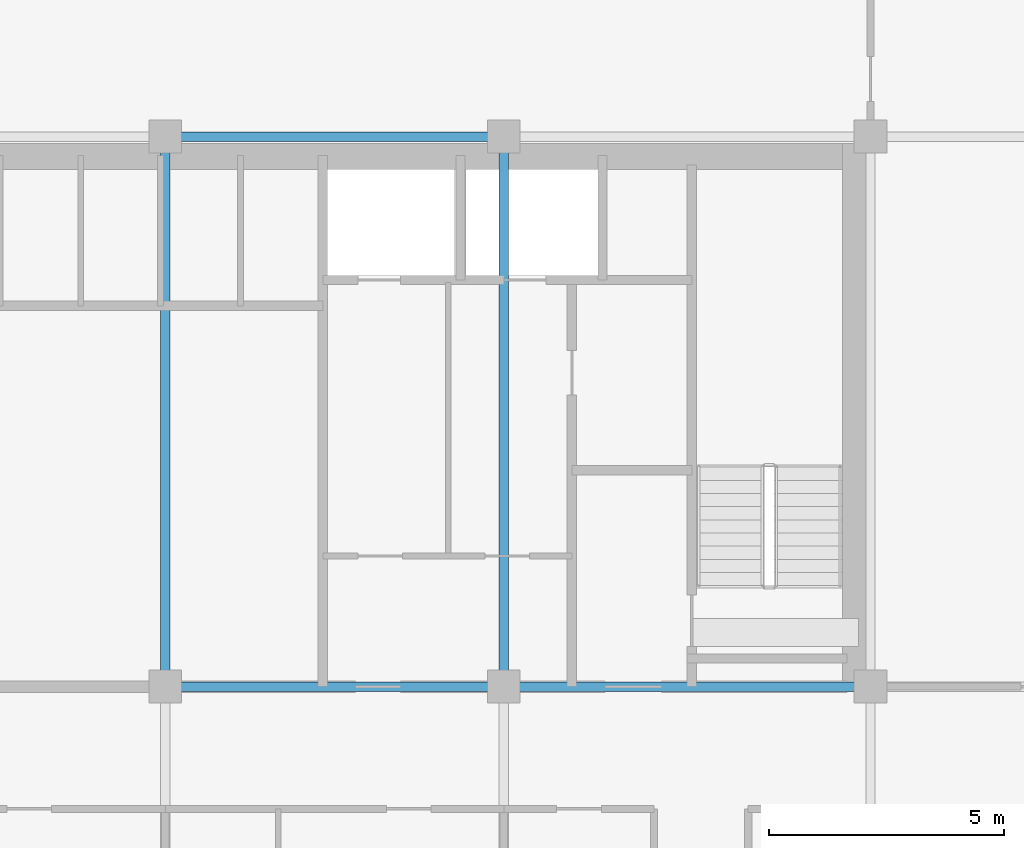
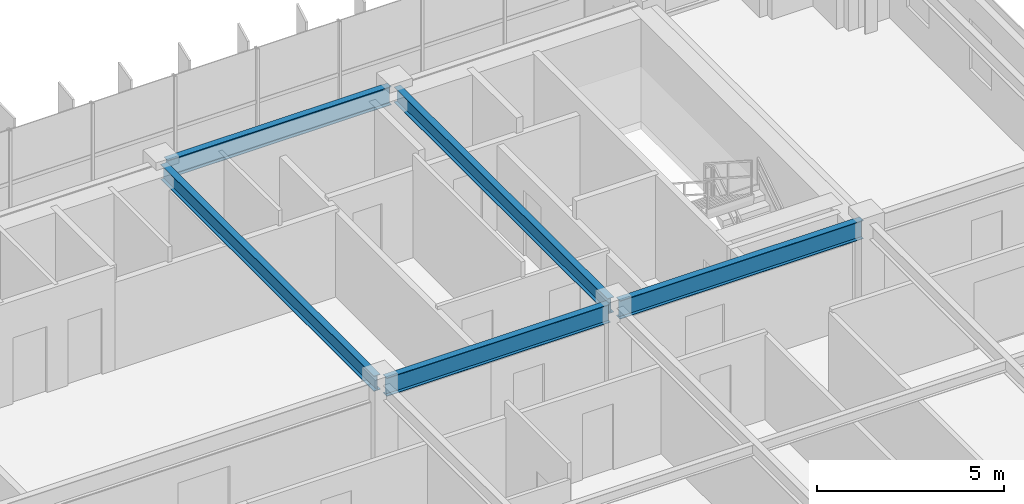
# One storey, part 8 of 20: 5 beams.
"""IFC4 building model written with IfcOpenShell, lengths in metres."""

import ifcopenshell
import ifcopenshell.guid

model = None  # the IFC model being written
_history = None  # IfcOwnerHistory: only IFC2X3 demands one
_inside = {}  # id of a spatial element -> (the spatial element, [elements in it])
_under = {}  # id of a project, library or spatial element -> (it, [spatial elements below it])
_declared = {}  # id of a project -> (the project, [libraries it declares])
_typed = {}  # id of a type object -> (the type object, [elements of that type])
_made_of = {}  # id of a material, layer set ... -> (it, [elements and type objects made of it])


def new_model(schema):
    """Start an empty IFC model of exactly this schema.

    Asked for "IFC4X3", IfcOpenShell would pick the latest addendum, in which some entities
    have other attributes; the version numbers below select the first issue.
    IFC2X3 requires an IfcOwnerHistory on every rooted entity: one is made here for all.
    """
    global model, _history
    if schema == "IFC4X3":
        model = ifcopenshell.file(schema_version=(4, 3, 0, 0))
    else:
        model = ifcopenshell.file(schema=schema)
    _inside.clear()
    _under.clear()
    _declared.clear()
    _typed.clear()
    _made_of.clear()
    _history = None
    if model.schema == "IFC2X3":
        org = make("IfcOrganization", Name="unknown")
        user = make(
            "IfcPersonAndOrganization",
            ThePerson=make("IfcPerson", FamilyName="unknown"),
            TheOrganization=org,
        )
        app = make(
            "IfcApplication",
            ApplicationDeveloper=org,
            Version="unknown",
            ApplicationFullName="unknown",
            ApplicationIdentifier="unknown",
        )
        _history = make(
            "IfcOwnerHistory",
            OwningUser=user,
            OwningApplication=app,
            ChangeAction="ADDED",
            CreationDate=0,
        )
    return model


def make(cls, **values):
    """One entity of the class cls with the attributes given. An attribute that is None is left unset."""
    return model.create_entity(
        cls, **{name: value for name, value in values.items() if value is not None}
    )


def rooted(cls, **values):
    """An entity with a GlobalId (a new one), such as an element, a storey or a relation."""
    return make(cls, GlobalId=ifcopenshell.guid.new(), OwnerHistory=_history, **values)


def si_unit(unit_type, name, prefix=None):
    """IfcSIUnit, for example si_unit("LENGTHUNIT", "METRE", prefix="MILLI")."""
    return make("IfcSIUnit", UnitType=unit_type, Prefix=prefix, Name=name)


def assignment(units):
    """IfcUnitAssignment: the units of a project."""
    return None if units is None else make("IfcUnitAssignment", Units=units)


def point(xyz):
    """IfcCartesianPoint."""
    return None if xyz is None else make("IfcCartesianPoint", Coordinates=xyz)


def direction(xyz):
    """IfcDirection."""
    return None if xyz is None else make("IfcDirection", DirectionRatios=xyz)


def frame(location, z_axis=None, x_axis=None):
    """IfcAxis2Placement3D, a coordinate frame: its origin and axes. An axis left out is left unset."""
    return make(
        "IfcAxis2Placement3D",
        Location=point(location),
        Axis=direction(z_axis),
        RefDirection=direction(x_axis),
    )


def frame_2d(location, x_axis=None):
    """IfcAxis2Placement2D, a coordinate frame in the plane: its origin and x axis."""
    return make(
        "IfcAxis2Placement2D", Location=point(location), RefDirection=direction(x_axis)
    )


def origin():
    """The frame at (0, 0, 0) with its axes left unset."""
    return frame((0.0, 0.0, 0.0))


def origin_2d():
    """The frame at (0, 0) in the plane with its x axis left unset."""
    return frame_2d((0.0, 0.0))


def place(relative_to, where):
    """IfcLocalPlacement: puts the frame where relative to a parent placement (None: the world)."""
    return make(
        "IfcLocalPlacement", PlacementRelTo=relative_to, RelativePlacement=where
    )


def context(
    kind, dimensions, precision=None, world=None, true_north=None, identifier=None
):
    """IfcGeometricRepresentationContext, for example the 3D "Model" context."""
    return make(
        "IfcGeometricRepresentationContext",
        ContextIdentifier=identifier,
        ContextType=kind,
        CoordinateSpaceDimension=dimensions,
        Precision=precision,
        WorldCoordinateSystem=world,
        TrueNorth=true_north,
    )


def subcontext(parent, identifier, kind, view, scale=None):
    """IfcGeometricRepresentationSubContext, for example "Body" below "Model"."""
    return make(
        "IfcGeometricRepresentationSubContext",
        ContextIdentifier=identifier,
        ContextType=kind,
        ParentContext=parent,
        TargetScale=scale,
        TargetView=view,
    )


def project(units=None, contexts=None):
    """IfcProject with its units and contexts."""
    return rooted(
        "IfcProject",
        Name="project",
        RepresentationContexts=contexts,
        UnitsInContext=assignment(units),
    )


def spatial(cls, under=None, at=None, **own):
    """A site, building, storey or space (cls), placed at a placement, below another one or the project."""
    s = rooted(cls, ObjectPlacement=at, **own)
    if under is not None:
        _under.setdefault(under.id(), (under, []))[1].append(s)
    return s


def profile(cls, at=None, kind="AREA", **sizes):
    """A parametric profile (cls). Its sizes go by their IFC names, for example OverallWidth=200.0."""
    return make(cls, ProfileType=kind, Position=at, **sizes)


def i_section(**sizes):
    """IfcIShapeProfileDef."""
    return profile("IfcIShapeProfileDef", **sizes)


def extrude(swept, where, along, depth):
    """IfcExtrudedAreaSolid: the profile swept, set in the frame where, extruded along a direction by depth."""
    return make(
        "IfcExtrudedAreaSolid",
        SweptArea=swept,
        Position=where,
        ExtrudedDirection=direction(along),
        Depth=depth,
    )


def shape(context_of_items, identifier, shape_type, items):
    """IfcShapeRepresentation: the items that make up one representation, for example the "Body"."""
    return make(
        "IfcShapeRepresentation",
        ContextOfItems=context_of_items,
        RepresentationIdentifier=identifier,
        RepresentationType=shape_type,
        Items=items,
    )


def source(mapping_origin, context_of_items, identifier, shape_type, items):
    """IfcRepresentationMap: a shape defined once, which mapped items show again and again."""
    return make(
        "IfcRepresentationMap",
        MappingOrigin=mapping_origin,
        MappedRepresentation=shape(context_of_items, identifier, shape_type, items),
    )


def transform(
    local_origin,
    x_axis=None,
    y_axis=None,
    z_axis=None,
    scale=None,
    scale2=None,
    scale3=None,
    uniform=True,
):
    """IfcCartesianTransformationOperator3D, or its non-uniform kind. x_axis, y_axis, z_axis: its Axis1, 2, 3."""
    if uniform:
        return make(
            "IfcCartesianTransformationOperator3D",
            Axis1=direction(x_axis),
            Axis2=direction(y_axis),
            LocalOrigin=point(local_origin),
            Scale=scale,
            Axis3=direction(z_axis),
        )
    return make(
        "IfcCartesianTransformationOperator3DnonUniform",
        Axis1=direction(x_axis),
        Axis2=direction(y_axis),
        LocalOrigin=point(local_origin),
        Scale=scale,
        Axis3=direction(z_axis),
        Scale2=scale2,
        Scale3=scale3,
    )


def mapped(mapping_source, mapping_target):
    """IfcMappedItem: shows the shape of a source again, moved by a transform."""
    return make(
        "IfcMappedItem", MappingSource=mapping_source, MappingTarget=mapping_target
    )


def material(Name=None, Category=None):
    """IfcMaterial."""
    return make("IfcMaterial", Name=Name, Category=Category)


def material_profile(
    of_material, cross_section, Name=None, Category=None, Priority=None
):
    """IfcMaterialProfile: a cross section and its material."""
    return make(
        "IfcMaterialProfile",
        Name=Name,
        Material=of_material,
        Profile=cross_section,
        Priority=Priority,
        Category=Category,
    )


def profile_set(profiles, Name=None, composite=None):
    """IfcMaterialProfileSet."""
    return make(
        "IfcMaterialProfileSet",
        Name=Name,
        MaterialProfiles=profiles,
        CompositeProfile=composite,
    )


def made_of(thing, what):
    """Note that an element or type object is made of a material, layer set ...; save() writes the relation."""
    if what is not None:
        _made_of.setdefault(what.id(), (what, []))[1].append(thing)
    return thing


def type_object(cls, material=None, **own):
    """A type object (cls), such as IfcWallType, which elements share."""
    return made_of(rooted(cls, **own), material)


def element(
    cls,
    number,
    at=None,
    inside=None,
    cuts=None,
    type_object=None,
    material=None,
    context=None,
    identifier="Body",
    shape_type=None,
    held_by="IfcProductDefinitionShape",
    body=None,
    shapes=None,
    **own,
):
    """One element of the class cls, such as IfcWall. Its Tag is "e" and its number.

    at: its placement. inside: the storey or other place that contains it. cuts: it is an
    opening in that element (IfcRelVoidsElement). A single representation is given by context,
    identifier, shape_type and body (its items); several are given by shapes. held_by: the class
    of the entity that holds the representations. save() writes the other relations.
    """
    e = rooted(cls, Tag="e%d" % number, ObjectPlacement=at, **own)
    if body is not None:
        shapes = [shape(context, identifier, shape_type, body)]
    if shapes is not None:
        e.Representation = make(held_by, Representations=shapes)
    if inside is not None:
        _inside.setdefault(inside.id(), (inside, []))[1].append(e)
    if cuts is not None:
        rooted(
            "IfcRelVoidsElement", RelatingBuildingElement=cuts, RelatedOpeningElement=e
        )
    if type_object is not None:
        _typed.setdefault(type_object.id(), (type_object, []))[1].append(e)
    return made_of(e, material)


def aggregate(whole, parts):
    """IfcRelAggregates: a whole, such as a stair, and the parts it consists of."""
    return rooted("IfcRelAggregates", RelatingObject=whole, RelatedObjects=parts)


def save(model, path):
    """Write the relations noted so far, then the file.

    IfcRelAggregates (storeys below a building ...), IfcRelContainedInSpatialStructure (elements
    in a storey), IfcRelDefinesByType, IfcRelAssociatesMaterial and IfcRelDeclares: one each for
    every whole, place, type object, material and project.
    """
    for whole, parts in _under.values():
        aggregate(whole, parts)
    for where, things in _inside.values():
        rooted(
            "IfcRelContainedInSpatialStructure",
            RelatedElements=things,
            RelatingStructure=where,
        )
    for kind, things in _typed.values():
        rooted("IfcRelDefinesByType", RelatedObjects=things, RelatingType=kind)
    for what, things in _made_of.values():
        rooted("IfcRelAssociatesMaterial", RelatedObjects=things, RelatingMaterial=what)
    for by, libraries in _declared.values():
        rooted("IfcRelDeclares", RelatingContext=by, RelatedDefinitions=libraries)
    model.write(path)


model = new_model("IFC4")

# Units and contexts
model_context = context("Model", 3, precision=1e-05, world=origin(), true_north=direction((0.0, 1.0)))
body_context = subcontext(model_context, "Body", "Model", "MODEL_VIEW")
ifc_project = project(units=[si_unit("LENGTHUNIT", "METRE"), si_unit("AREAUNIT", "SQUARE_METRE"), si_unit("VOLUMEUNIT", "CUBIC_METRE"), si_unit("PLANEANGLEUNIT", "RADIAN"), si_unit("MASSUNIT", "GRAM", prefix="KILO")], contexts=[model_context])

# Site, building, storey
site_placement = place(None, origin())
site = spatial("IfcSite", under=ifc_project, at=site_placement, CompositionType="ELEMENT")
building_placement = place(site_placement, origin())
building = spatial("IfcBuilding", under=site, at=building_placement, Name="Trelvane Seafront Commons", CompositionType="ELEMENT")
storey_placement = place(building_placement, frame((0.0, 0.0, 171.699951171875)))
storey = spatial("IfcBuildingStorey", under=building, at=storey_placement, Name="L45", CompositionType="ELEMENT", Elevation=171.699951171875)

# Beams
ifc_material = material(Name="Steel SM355 (S355)", Category="steel")
ifc_material_profile_1 = material_profile(ifc_material, i_section(OverallWidth=0.199951171875, OverallDepth=0.5, WebThickness=0.010009765625, FlangeThickness=0.01611328125, at=origin_2d()), Name="H-500x200x10x16")
ifc_profile_set_1 = profile_set([ifc_material_profile_1], Name="Steel SM355 (S355)")
beam_type_1 = type_object("IfcBeamType", Name="STR-BM-H500", PredefinedType="BEAM", material=ifc_profile_set_1)
shared_shape_1 = source(origin(), body_context, "Body", "SweptSolid", [
    extrude(i_section(OverallWidth=0.199951171875, OverallDepth=0.5, WebThickness=0.010009765625, FlangeThickness=0.01611328125, at=origin_2d()), origin(), (0.0, 0.0, 1.0), 11.39990234375),
])
for number, where, z_axis, x_axis, name in (
    (1, (43.800048828125, 33.550048828125, 3.10009765625), (0.0, 1.0, 0.0), (-1.0, 0.0, 0.0), "L45 Primary Girder G-43"),
    (2, (51.0, 33.550048828125, 3.10009765625), (0.0, 1.0, 0.0), (-1.0, 0.0, 0.0), "L45 Primary Girder G-46"),
):
    element("IfcBeam", number, at=place(storey_placement, frame(where, z_axis=z_axis, x_axis=x_axis)), inside=storey, type_object=beam_type_1, Name=name, PredefinedType="BEAM", context=body_context, shape_type="MappedRepresentation", body=[
        mapped(shared_shape_1, transform((0.0, 0.0, 0.0), x_axis=(1.0, 0.0, 0.0), y_axis=(0.0, 1.0, 0.0), z_axis=(0.0, 0.0, 1.0), scale=1.0)),
    ])
ifc_material_profile_2 = material_profile(ifc_material, i_section(OverallWidth=0.199951171875, OverallDepth=0.60009765625, WebThickness=0.010986328125, FlangeThickness=0.01708984375, at=origin_2d()), Name="H-600x200x11x17")
ifc_profile_set_2 = profile_set([ifc_material_profile_2], Name="Steel SM355 (S355)")
beam_type_2 = type_object("IfcBeamType", Name="STR-SPD-H600", PredefinedType="SPANDREL", material=ifc_profile_set_2)
shared_shape_2 = source(origin(), body_context, "Body", "SweptSolid", [
    extrude(i_section(OverallWidth=0.199951171875, OverallDepth=0.60009765625, WebThickness=0.010986328125, FlangeThickness=0.01708984375, at=origin_2d()), origin(), (0.0, 0.0, 1.0), 7.5),
])
beam_placement = place(storey_placement, frame((51.14990234375, 33.39990234375, 3.050048828125), z_axis=(1.0, 0.0, 0.0), x_axis=(0.0, 1.0, 0.0)))
element("IfcBeam", 3, at=beam_placement, inside=storey, type_object=beam_type_2, Name="L45 Primary Girder G-20", PredefinedType="SPANDREL", context=body_context, shape_type="MappedRepresentation", body=[
    mapped(shared_shape_2, transform((0.0, 0.0, 0.0), x_axis=(1.0, 0.0, 0.0), y_axis=(0.0, 1.0, 0.0), z_axis=(0.0, 0.0, 1.0), scale=1.0)),
])
shared_shape_3 = source(origin(), body_context, "Body", "SweptSolid", [
    extrude(i_section(OverallWidth=0.199951171875, OverallDepth=0.60009765625, WebThickness=0.010986328125, FlangeThickness=0.01708984375, at=origin_2d()), origin(), (0.0, 0.0, 1.0), 6.900146484375),
])
for number, where, z_axis, x_axis, name in (
    (4, (43.949951171875, 33.39990234375, 3.050048828125), (1.0, 0.0, 0.0), (0.0, 1.0, 0.0), "L45 Primary Girder G-19"),
    (5, (43.949951171875, 45.10009765625, 3.050048828125), (1.0, 0.0, 0.0), (0.0, 1.0, 0.0), "L45 Primary Girder G-26"),
):
    element("IfcBeam", number, at=place(storey_placement, frame(where, z_axis=z_axis, x_axis=x_axis)), inside=storey, type_object=beam_type_2, Name=name, PredefinedType="SPANDREL", context=body_context, shape_type="MappedRepresentation", body=[
        mapped(shared_shape_3, transform((0.0, 0.0, 0.0), x_axis=(1.0, 0.0, 0.0), y_axis=(0.0, 1.0, 0.0), z_axis=(0.0, 0.0, 1.0), scale=1.0)),
    ])

save(model, "model.ifc")
